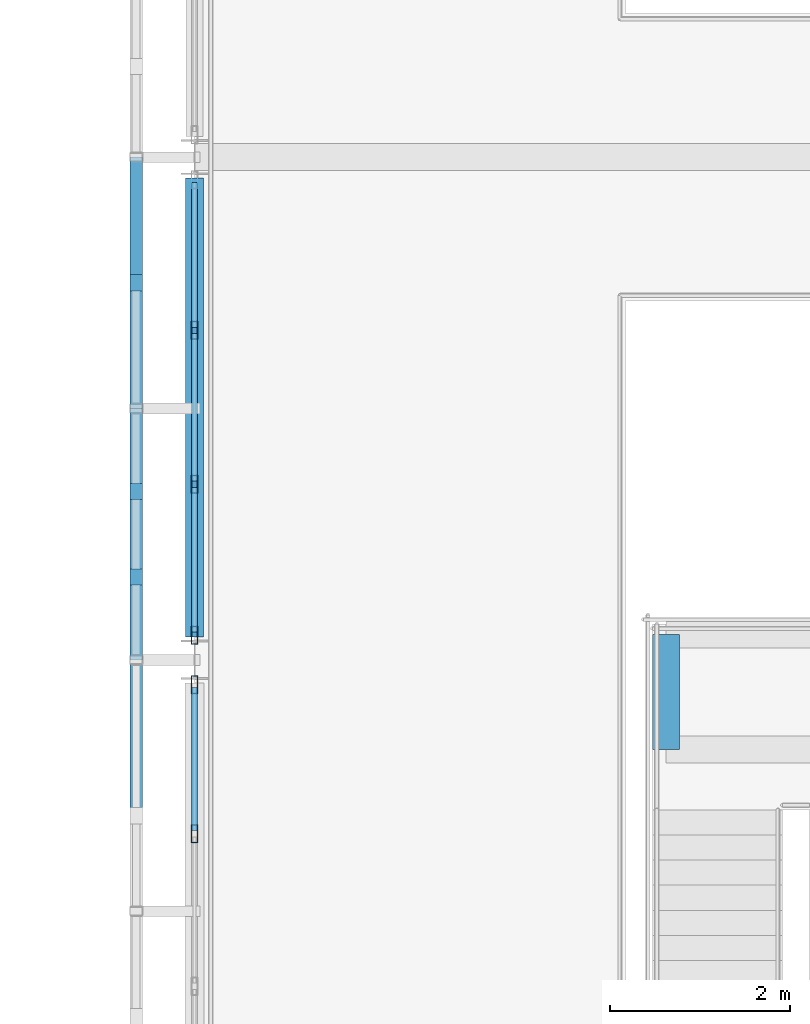
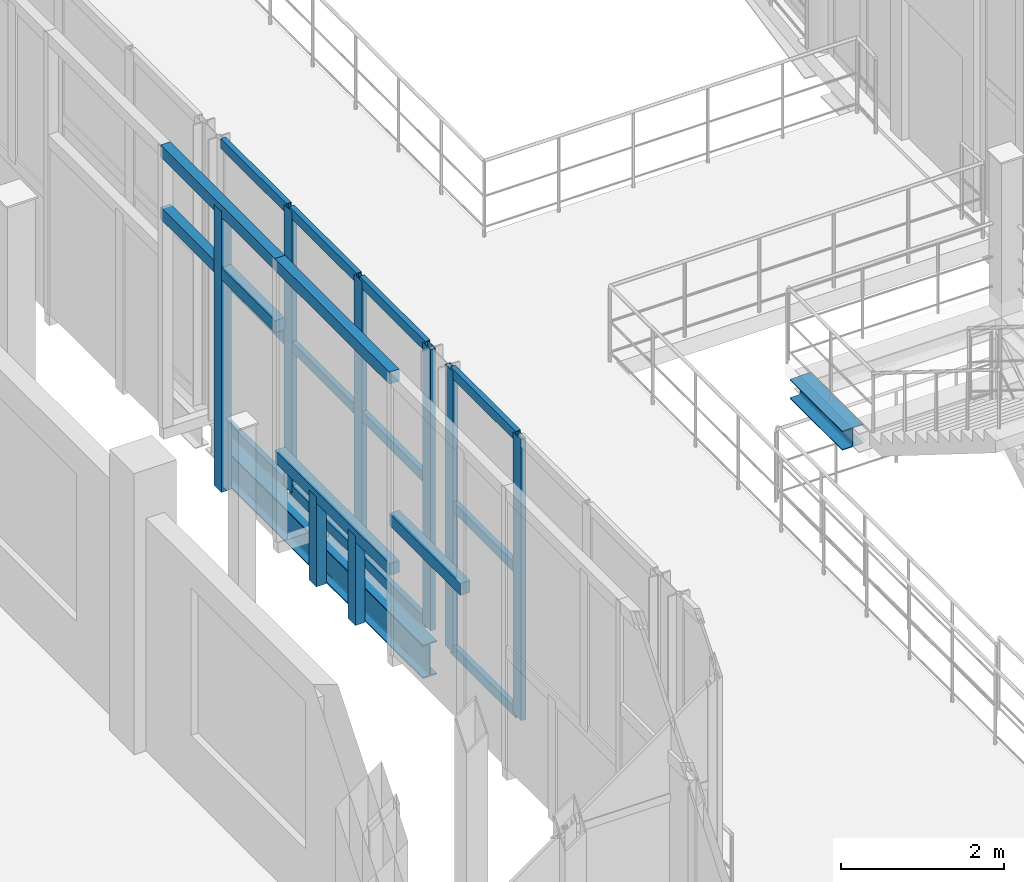
# One storey, part 38 of 121: 25 members, 2 beams, 2 elements without a shape of their own.
"""IFC4 building model written with IfcOpenShell, lengths in metres."""

from ifc_helpers import new_model, si_unit, direction, frame, origin, origin_2d, place, context, subcontext, project, spatial, rectangle, hollow_rectangle, i_section, extrude, material, layer, layer_set, material_profile, profile_set, type_object, element, aggregate, save


model = new_model("IFC4")

# Units and contexts
model_context = context("Model", 3, precision=1e-05, world=origin(), true_north=direction((0.0, 1.0)))
body_context = subcontext(model_context, "Body", "Model", "MODEL_VIEW")
ifc_project = project(units=[si_unit("LENGTHUNIT", "METRE"), si_unit("AREAUNIT", "SQUARE_METRE"), si_unit("VOLUMEUNIT", "CUBIC_METRE"), si_unit("PLANEANGLEUNIT", "RADIAN"), si_unit("MASSUNIT", "GRAM", prefix="KILO")], contexts=[model_context])

# Site, building, storey
site_placement = place(None, origin())
site = spatial("IfcSite", under=ifc_project, at=site_placement, CompositionType="ELEMENT")
building_placement = place(site_placement, origin())
building = spatial("IfcBuilding", under=site, at=building_placement, Name="Vinh Khe Railworks Police Headquarters", CompositionType="ELEMENT")
storey_placement = place(building_placement, frame((0.0, 0.0, 4.800048828125)))
storey = spatial("IfcBuildingStorey", under=building, at=storey_placement, Name="L01", CompositionType="ELEMENT", Elevation=4.800048828125)

# Beam
ifc_material_1 = material(Name="Steel S355JR", Category="steel")
ifc_material_profile_1 = material_profile(ifc_material_1, i_section(OverallWidth=0.300048828125, OverallDepth=0.2900390625, WebThickness=0.008544921875, FlangeThickness=0.013916015625, FilletRadius=0.027099609375, at=origin_2d()), Name="HEA 300")
ifc_profile_set_1 = profile_set([ifc_material_profile_1], Name="Steel S355JR")
beam_type_1 = type_object("IfcBeamType", Name="Feature Stair Trimmer HEA 300", PredefinedType="BEAM", material=ifc_profile_set_1)
beam_1_placement = place(storey_placement, frame((31.64990234375, 35.39990234375, 1.7548828125), z_axis=(0.0, 1.0, 0.0), x_axis=(-1.0, 0.0, 0.0)))
element("IfcBeam", 1, at=beam_1_placement, inside=storey, type_object=beam_type_1, Name="Feature Stair Landing Stringer Beam L01-1", PredefinedType="BEAM", context=body_context, shape_type="SweptSolid", body=[
    extrude(i_section(OverallWidth=0.300048828125, OverallDepth=0.2900390625, WebThickness=0.008544921875, FlangeThickness=0.013916015625, FilletRadius=0.027099609375, at=origin_2d()), origin(), (0.0, 0.0, 1.0), 1.280029296875),
])

# Members
ifc_material_2 = material(Name="Salvaged ironwood timber", Category="wood")
ifc_material_profile_2 = material_profile(ifc_material_2, rectangle(XDim=0.139892578125, YDim=0.179931640625, at=origin_2d()), Name="TIMBER 140x180")
ifc_profile_set_2 = profile_set([ifc_material_profile_2], Name="Salvaged ironwood timber")
member_type_1 = type_object("IfcMemberType", Name="MEM-QUILT-STILE", PredefinedType="CHORD", material=ifc_profile_set_2)
member_1_placement = place(storey_placement, frame((25.75, 34.6640625, 2.015869140625), z_axis=(0.0, 1.0, 0.0), x_axis=(-1.0, 0.0, 0.0)))
element("IfcMember", 2, at=member_1_placement, inside=storey, type_object=member_type_1, Name="Salvaged Timber Quilt Transom W-L01-03-M1", PredefinedType="CHORD", context=body_context, shape_type="SweptSolid", body=[
    extrude(rectangle(XDim=0.139892578125, YDim=0.179931640625, at=origin_2d()), origin(), (0.0, 0.0, 1.0), 1.73583984375),
])
for number, where, z_axis, x_axis, name in (
    (3, (25.75, 36.39990234375, 4.119873046875), (0.0, 1.0, 0.0), (-1.0, 0.0, 0.0), "Salvaged Timber Quilt Transom W-L01-04-TOP"),
    (4, (25.75, 36.39990234375, 1.260009765625), (0.0, 1.0, 0.0), (-1.0, 0.0, 0.0), "Salvaged Timber Quilt Transom W-L01-04-M1"),
):
    element("IfcMember", number, at=place(storey_placement, frame(where, z_axis=z_axis, x_axis=x_axis)), inside=storey, type_object=member_type_1, Name=name, PredefinedType="CHORD", context=body_context, shape_type="SweptSolid", body=[
        extrude(rectangle(XDim=0.139892578125, YDim=0.179931640625, at=origin_2d()), origin(), (0.0, 0.0, 1.0), 2.800048828125),
    ])
for number, where, z_axis, x_axis, name in (
    (5, (25.75, 37.323974609375, -0.080078125), (0.0, 0.0, 1.0), (1.0, 0.0, 0.0), "Salvaged Timber Quilt Stile W-L01-04-V1"),
    (6, (25.75, 38.27587890625, -0.080078125), (0.0, 0.0, 1.0), (1.0, 0.0, 0.0), "Salvaged Timber Quilt Stile W-L01-04-V2"),
):
    element("IfcMember", number, at=place(storey_placement, frame(where, z_axis=z_axis, x_axis=x_axis)), inside=storey, type_object=member_type_1, Name=name, PredefinedType="POST", context=body_context, shape_type="SweptSolid", body=[
        extrude(rectangle(XDim=0.139892578125, YDim=0.179931640625, at=origin_2d()), origin(), (0.0, 0.0, 1.0), 1.340087890625),
    ])
for number, where, z_axis, x_axis, name in (
    (7, (25.75, 39.199951171875, 4.119873046875), (0.0, 1.0, 0.0), (-1.0, 0.0, 0.0), "Salvaged Timber Quilt Transom W-L01-05-TOP"),
    (8, (25.75, 39.199951171875, 3.19189453125), (0.0, 1.0, 0.0), (-1.0, 0.0, 0.0), "Salvaged Timber Quilt Transom W-L01-05-M1"),
):
    element("IfcMember", number, at=place(storey_placement, frame(where, z_axis=z_axis, x_axis=x_axis)), inside=storey, type_object=member_type_1, Name=name, PredefinedType="CHORD", context=body_context, shape_type="SweptSolid", body=[
        extrude(rectangle(XDim=0.139892578125, YDim=0.179931640625, at=origin_2d()), origin(), (0.0, 0.0, 1.0), 2.800048828125),
    ])
member_2_placement = place(storey_placement, frame((25.75, 40.60009765625, -0.080078125), z_axis=(0.0, 0.0, 1.0), x_axis=(1.0, 0.0, 0.0)))
element("IfcMember", 9, at=member_2_placement, inside=storey, type_object=member_type_1, Name="Salvaged Timber Quilt Stile W-L01-05-V1", PredefinedType="POST", context=body_context, shape_type="SweptSolid", body=[
    extrude(rectangle(XDim=0.139892578125, YDim=0.179931640625, at=origin_2d()), origin(), (0.0, 0.0, 1.0), 4.199951171875),
])

# Curtain wall, members
ifc_material_3 = material(Name="Anodised aluminium and low-iron glass", Category="aluminium")
ifc_layer = layer(ifc_material_3, 0.179931640625)
ifc_layer_set = layer_set([ifc_layer], Name="Anodised aluminium and low-iron glass")
curtain_wall_type = type_object("IfcCurtainWallType", Name="CW-CUBE-UNIT", PredefinedType="USERDEFINED", material=ifc_layer_set)
curtain_wall_1_placement = place(storey_placement, origin())
curtain_wall_1 = element("IfcCurtainWall", 10, at=curtain_wall_1_placement, inside=storey, type_object=curtain_wall_type, Name="Entrance Hall Curtain Wall L01 W-2", ObjectType="UNITISED GLAZING", PredefinedType="USERDEFINED")
ifc_material_4 = material(Name="Anodised aluminium 6063-T6", Category="aluminium")
ifc_material_profile_3 = material_profile(ifc_material_4, hollow_rectangle(XDim=0.070068359375, YDim=0.199951171875, WallThickness=0.0048828125, at=origin_2d()), Name="CW-M 70x200x5")
ifc_profile_set_3 = profile_set([ifc_material_profile_3], Name="Anodised aluminium 6063-T6")
member_type_2 = type_object("IfcMemberType", Name="MULL-CWM-03", PredefinedType="MULLION", material=ifc_profile_set_3)
member_3_placement = place(storey_placement, frame((26.39990234375, 34.461669921875, 0.0), z_axis=(0.0, 0.0, 1.0), x_axis=(-1.0, 0.0, 0.0)))
member_3 = element("IfcMember", 11, at=member_3_placement, type_object=member_type_2, Name="CW-01 mullion 3", PredefinedType="MULLION", context=body_context, shape_type="SweptSolid", body=[
    extrude(hollow_rectangle(XDim=0.070068359375, YDim=0.199951171875, WallThickness=0.0048828125, at=origin_2d()), origin(), (0.0, 0.0, 1.0), 4.199951171875),
])
member_4_placement = place(storey_placement, frame((26.39990234375, 36.125, 0.0), z_axis=(0.0, 0.0, 1.0), x_axis=(-1.0, 0.0, 0.0)))
member_4 = element("IfcMember", 12, at=member_4_placement, type_object=member_type_2, Name="CW-01 mullion 4", PredefinedType="MULLION", context=body_context, shape_type="SweptSolid", body=[
    extrude(hollow_rectangle(XDim=0.070068359375, YDim=0.199951171875, WallThickness=0.0048828125, at=origin_2d()), origin(), (0.0, 0.0, 1.0), 4.199951171875),
])

curtain_wall_2_placement = place(storey_placement, origin())
curtain_wall_2 = element("IfcCurtainWall", 13, at=curtain_wall_2_placement, inside=storey, type_object=curtain_wall_type, Name="Entrance Hall Curtain Wall L01 W-3", ObjectType="UNITISED GLAZING", PredefinedType="USERDEFINED")
member_5_placement = place(storey_placement, frame((26.39990234375, 36.675048828125, 0.0), z_axis=(0.0, 0.0, 1.0), x_axis=(-1.0, 0.0, 0.0)))
member_5 = element("IfcMember", 14, at=member_5_placement, type_object=member_type_2, Name="CW-01 mullion 1", PredefinedType="MULLION", context=body_context, shape_type="SweptSolid", body=[
    extrude(hollow_rectangle(XDim=0.070068359375, YDim=0.199951171875, WallThickness=0.0048828125, at=origin_2d()), origin(), (0.0, 0.0, 1.0), 4.199951171875),
])
member_6_placement = place(storey_placement, frame((26.39990234375, 38.35498046875, 0.0), z_axis=(0.0, 0.0, 1.0), x_axis=(-1.0, 0.0, 0.0)))
member_6 = element("IfcMember", 15, at=member_6_placement, type_object=member_type_2, Name="CW-01 mullion 2", PredefinedType="MULLION", context=body_context, shape_type="SweptSolid", body=[
    extrude(hollow_rectangle(XDim=0.070068359375, YDim=0.199951171875, WallThickness=0.0048828125, at=origin_2d()), origin(), (0.0, 0.0, 1.0), 4.199951171875),
])
member_7_placement = place(storey_placement, frame((26.39990234375, 40.070068359375, 0.0), z_axis=(0.0, 0.0, 1.0), x_axis=(-1.0, 0.0, 0.0)))
member_7 = element("IfcMember", 16, at=member_7_placement, type_object=member_type_2, Name="CW-01 mullion 3", PredefinedType="MULLION", context=body_context, shape_type="SweptSolid", body=[
    extrude(hollow_rectangle(XDim=0.070068359375, YDim=0.199951171875, WallThickness=0.0048828125, at=origin_2d()), origin(), (0.0, 0.0, 1.0), 4.199951171875),
])

# Beam
ifc_material_profile_4 = material_profile(ifc_material_1, i_section(OverallWidth=0.199951171875, OverallDepth=0.5, WebThickness=0.01025390625, FlangeThickness=0.01611328125, FilletRadius=0.02099609375, at=origin_2d()), Name="IPE 500")
ifc_profile_set_4 = profile_set([ifc_material_profile_4], Name="Steel S355JR")
beam_type_2 = type_object("IfcBeamType", Name="Steel Girder IPE 500", PredefinedType="BEAM", material=ifc_profile_set_4)
beam_2_placement = place(storey_placement, frame((26.39990234375, 36.655029296875, -0.489990234375), z_axis=(0.0, 1.0, 0.0), x_axis=(-1.0, 0.0, 0.0)))
element("IfcBeam", 17, at=beam_2_placement, inside=storey, type_object=beam_type_2, Name="Girder BM-L01-NS-SB-19-0635", PredefinedType="BEAM", context=body_context, shape_type="SweptSolid", body=[
    extrude(i_section(OverallWidth=0.199951171875, OverallDepth=0.5, WebThickness=0.01025390625, FlangeThickness=0.01611328125, FilletRadius=0.02099609375, at=origin_2d()), origin(), (0.0, 0.0, 1.0), 5.114990234375),
])

# Member
ifc_material_profile_5 = material_profile(ifc_material_4, hollow_rectangle(XDim=0.070068359375, YDim=0.14990234375, WallThickness=0.0048828125, at=origin_2d()), Name="CW-T 70x150x5")
ifc_profile_set_5 = profile_set([ifc_material_profile_5], Name="Anodised aluminium 6063-T6")
member_type_3 = type_object("IfcMemberType", Name="TRAN-CWT-03", PredefinedType="USERDEFINED", material=ifc_profile_set_5)
member_8_placement = place(storey_placement, frame((26.39990234375, 34.49658203125, 0.034912109375), z_axis=(0.0, 1.0, 0.0), x_axis=(-1.0, 0.0, 0.0)))
member_8 = element("IfcMember", 18, at=member_8_placement, type_object=member_type_3, Name="CW-01 transom 3.1", ObjectType="TRANSOM", PredefinedType="USERDEFINED", context=body_context, shape_type="SweptSolid", body=[
    extrude(hollow_rectangle(XDim=0.070068359375, YDim=0.14990234375, WallThickness=0.0048828125, at=origin_2d()), origin(), (0.0, 0.0, 1.0), 1.593505859375),
])

member_9_placement = place(storey_placement, frame((26.39990234375, 34.49658203125, 2.183837890625), z_axis=(0.0, 1.0, 0.0), x_axis=(-1.0, 0.0, 0.0)))
member_9 = element("IfcMember", 19, at=member_9_placement, type_object=member_type_3, Name="CW-01 transom 3.2", ObjectType="TRANSOM", PredefinedType="USERDEFINED", context=body_context, shape_type="SweptSolid", body=[
    extrude(hollow_rectangle(XDim=0.070068359375, YDim=0.14990234375, WallThickness=0.0048828125, at=origin_2d()), origin(), (0.0, 0.0, 1.0), 1.593505859375),
])

member_10_placement = place(storey_placement, frame((26.39990234375, 34.49658203125, 4.1650390625), z_axis=(0.0, 1.0, 0.0), x_axis=(-1.0, 0.0, 0.0)))
member_10 = element("IfcMember", 20, at=member_10_placement, type_object=member_type_3, Name="CW-01 transom 3.3", ObjectType="TRANSOM", PredefinedType="USERDEFINED", context=body_context, shape_type="SweptSolid", body=[
    extrude(hollow_rectangle(XDim=0.070068359375, YDim=0.14990234375, WallThickness=0.0048828125, at=origin_2d()), origin(), (0.0, 0.0, 1.0), 1.593505859375),
])

aggregate(curtain_wall_1, [member_3, member_4, member_8, member_9, member_10])

member_11_placement = place(storey_placement, frame((26.39990234375, 36.7099609375, 0.034912109375), z_axis=(0.0, 1.0, 0.0), x_axis=(-1.0, 0.0, 0.0)))
member_11 = element("IfcMember", 21, at=member_11_placement, type_object=member_type_3, Name="CW-01 transom 1.1", ObjectType="TRANSOM", PredefinedType="USERDEFINED", context=body_context, shape_type="SweptSolid", body=[
    extrude(hollow_rectangle(XDim=0.070068359375, YDim=0.14990234375, WallThickness=0.0048828125, at=origin_2d()), origin(), (0.0, 0.0, 1.0), 1.610107421875),
])

member_12_placement = place(storey_placement, frame((26.39990234375, 36.7099609375, 2.183837890625), z_axis=(0.0, 1.0, 0.0), x_axis=(-1.0, 0.0, 0.0)))
member_12 = element("IfcMember", 22, at=member_12_placement, type_object=member_type_3, Name="CW-01 transom 1.2", ObjectType="TRANSOM", PredefinedType="USERDEFINED", context=body_context, shape_type="SweptSolid", body=[
    extrude(hollow_rectangle(XDim=0.070068359375, YDim=0.14990234375, WallThickness=0.0048828125, at=origin_2d()), origin(), (0.0, 0.0, 1.0), 1.610107421875),
])

member_13_placement = place(storey_placement, frame((26.39990234375, 36.7099609375, 4.1650390625), z_axis=(0.0, 1.0, 0.0), x_axis=(-1.0, 0.0, 0.0)))
member_13 = element("IfcMember", 23, at=member_13_placement, type_object=member_type_3, Name="CW-01 transom 1.3", ObjectType="TRANSOM", PredefinedType="USERDEFINED", context=body_context, shape_type="SweptSolid", body=[
    extrude(hollow_rectangle(XDim=0.070068359375, YDim=0.14990234375, WallThickness=0.0048828125, at=origin_2d()), origin(), (0.0, 0.0, 1.0), 1.610107421875),
])

member_14_placement = place(storey_placement, frame((26.39990234375, 38.389892578125, 0.034912109375), z_axis=(0.0, 1.0, 0.0), x_axis=(-1.0, 0.0, 0.0)))
member_14 = element("IfcMember", 24, at=member_14_placement, type_object=member_type_3, Name="CW-01 transom 2.1", ObjectType="TRANSOM", PredefinedType="USERDEFINED", context=body_context, shape_type="SweptSolid", body=[
    extrude(hollow_rectangle(XDim=0.070068359375, YDim=0.14990234375, WallThickness=0.0048828125, at=origin_2d()), origin(), (0.0, 0.0, 1.0), 1.64501953125),
])

member_15_placement = place(storey_placement, frame((26.39990234375, 38.389892578125, 2.183837890625), z_axis=(0.0, 1.0, 0.0), x_axis=(-1.0, 0.0, 0.0)))
member_15 = element("IfcMember", 25, at=member_15_placement, type_object=member_type_3, Name="CW-01 transom 2.2", ObjectType="TRANSOM", PredefinedType="USERDEFINED", context=body_context, shape_type="SweptSolid", body=[
    extrude(hollow_rectangle(XDim=0.070068359375, YDim=0.14990234375, WallThickness=0.0048828125, at=origin_2d()), origin(), (0.0, 0.0, 1.0), 1.64501953125),
])

member_16_placement = place(storey_placement, frame((26.39990234375, 38.389892578125, 4.1650390625), z_axis=(0.0, 1.0, 0.0), x_axis=(-1.0, 0.0, 0.0)))
member_16 = element("IfcMember", 26, at=member_16_placement, type_object=member_type_3, Name="CW-01 transom 2.3", ObjectType="TRANSOM", PredefinedType="USERDEFINED", context=body_context, shape_type="SweptSolid", body=[
    extrude(hollow_rectangle(XDim=0.070068359375, YDim=0.14990234375, WallThickness=0.0048828125, at=origin_2d()), origin(), (0.0, 0.0, 1.0), 1.64501953125),
])

member_17_placement = place(storey_placement, frame((26.39990234375, 40.10498046875, 0.034912109375), z_axis=(0.0, 1.0, 0.0), x_axis=(-1.0, 0.0, 0.0)))
member_17 = element("IfcMember", 27, at=member_17_placement, type_object=member_type_3, Name="CW-01 transom 3.1", ObjectType="TRANSOM", PredefinedType="USERDEFINED", context=body_context, shape_type="SweptSolid", body=[
    extrude(hollow_rectangle(XDim=0.070068359375, YDim=0.14990234375, WallThickness=0.0048828125, at=origin_2d()), origin(), (0.0, 0.0, 1.0), 1.610107421875),
])

member_18_placement = place(storey_placement, frame((26.39990234375, 40.10498046875, 2.183837890625), z_axis=(0.0, 1.0, 0.0), x_axis=(-1.0, 0.0, 0.0)))
member_18 = element("IfcMember", 28, at=member_18_placement, type_object=member_type_3, Name="CW-01 transom 3.2", ObjectType="TRANSOM", PredefinedType="USERDEFINED", context=body_context, shape_type="SweptSolid", body=[
    extrude(hollow_rectangle(XDim=0.070068359375, YDim=0.14990234375, WallThickness=0.0048828125, at=origin_2d()), origin(), (0.0, 0.0, 1.0), 1.610107421875),
])

member_19_placement = place(storey_placement, frame((26.39990234375, 40.10498046875, 4.1650390625), z_axis=(0.0, 1.0, 0.0), x_axis=(-1.0, 0.0, 0.0)))
member_19 = element("IfcMember", 29, at=member_19_placement, type_object=member_type_3, Name="CW-01 transom 3.3", ObjectType="TRANSOM", PredefinedType="USERDEFINED", context=body_context, shape_type="SweptSolid", body=[
    extrude(hollow_rectangle(XDim=0.070068359375, YDim=0.14990234375, WallThickness=0.0048828125, at=origin_2d()), origin(), (0.0, 0.0, 1.0), 1.610107421875),
])

aggregate(curtain_wall_2, [member_5, member_6, member_7, member_11, member_12, member_13, member_14, member_15, member_16, member_17, member_18, member_19])

save(model, "model.ifc")
